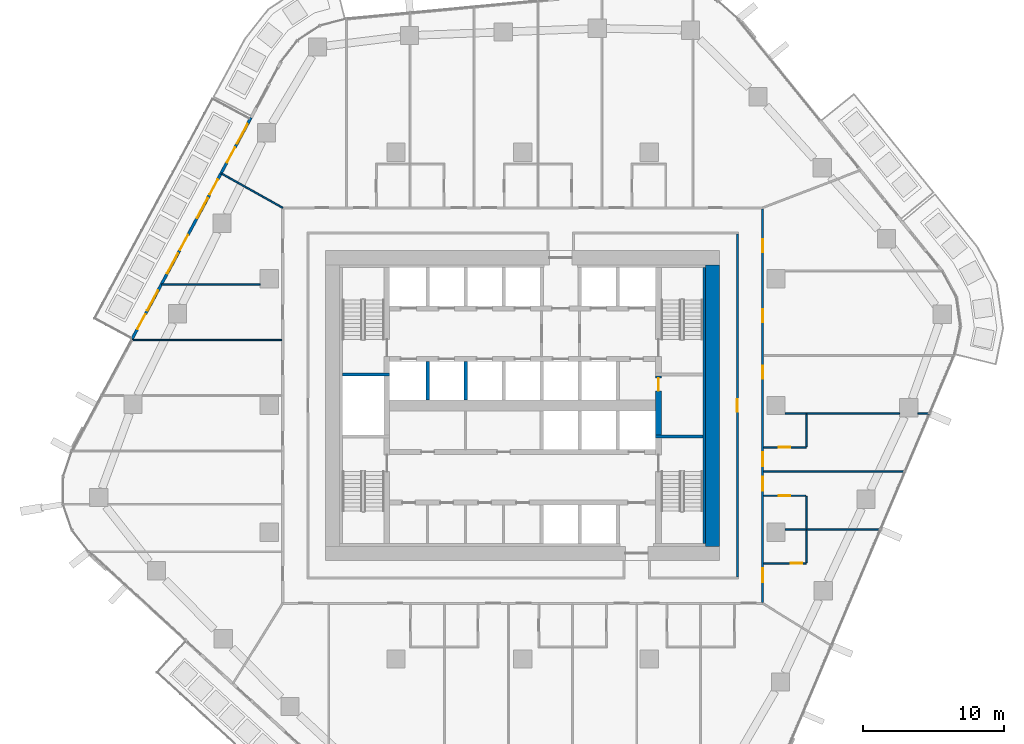
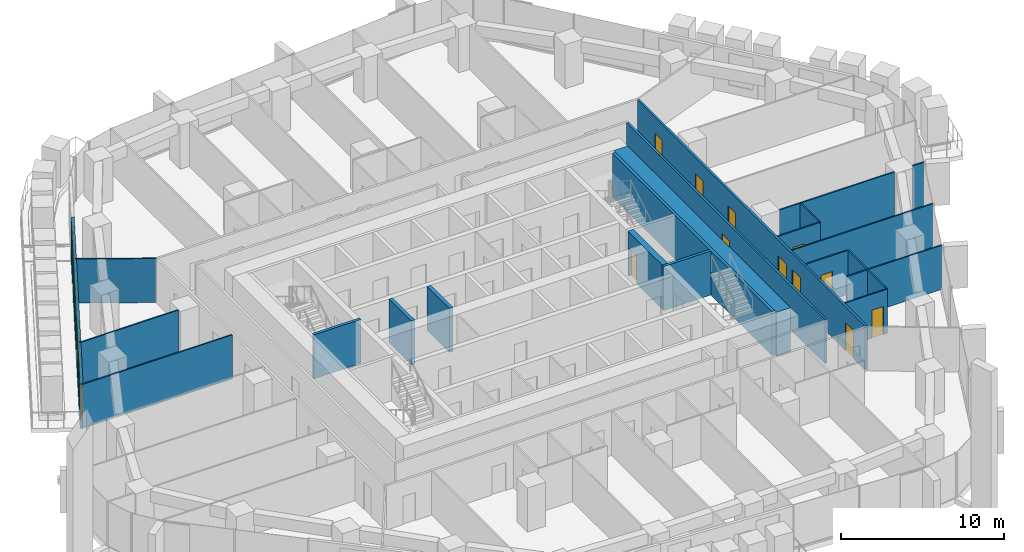
# One storey, part 14 of 24: 23 walls, 15 doors, 4 windows, 19 openings.
"""IFC4 building model written with IfcOpenShell, lengths in metres."""

from ifc_helpers import new_model, si_unit, direction, frame, frame_2d, origin, place, context, subcontext, project, spatial, rectangle, extrude, material, layer, layer_set, type_object, element, fill, save


model = new_model("IFC4")

# Units and contexts
model_context = context("Model", 3, precision=1e-05, world=origin(), true_north=direction((0.0, 1.0)))
body_context = subcontext(model_context, "Body", "Model", "MODEL_VIEW")
ifc_project = project(units=[si_unit("LENGTHUNIT", "METRE"), si_unit("AREAUNIT", "SQUARE_METRE"), si_unit("VOLUMEUNIT", "CUBIC_METRE"), si_unit("PLANEANGLEUNIT", "RADIAN"), si_unit("MASSUNIT", "GRAM", prefix="KILO")], contexts=[model_context])

# Site, building, storey
site_placement = place(None, origin())
site = spatial("IfcSite", under=ifc_project, at=site_placement, CompositionType="ELEMENT")
building_placement = place(site_placement, origin())
building = spatial("IfcBuilding", under=site, at=building_placement, Name="Dongbaek Canopy Tower", CompositionType="ELEMENT")
storey_placement = place(building_placement, frame((0.0, 0.0, 117.39990234375)))
storey = spatial("IfcBuildingStorey", under=building, at=storey_placement, Name="L25", CompositionType="ELEMENT", Elevation=117.39990234375)

# Walls
ifc_material_1 = material(Name="Concrete C60/75", Category="concrete")
ifc_layer_1 = layer(ifc_material_1, 1.0)
ifc_layer_set_1 = layer_set([ifc_layer_1], Name="Core outer wall 1000 Concrete C60/75")
wall_type_1 = type_object("IfcWallType", Name="Core outer wall 1000 Concrete C60/75", PredefinedType="SHEAR", material=ifc_layer_set_1)
wall_1_placement = place(storey_placement, frame((13.5, 10.0, 0.0), z_axis=(0.0, 0.0, 1.0), x_axis=(0.0, -1.0, 0.0)))
element("IfcWall", 1, at=wall_1_placement, inside=storey, type_object=wall_type_1, Name="Core wall", PredefinedType="SHEAR", context=body_context, shape_type="SweptSolid", body=[
    extrude(rectangle(XDim=20.0, YDim=1.0, at=frame_2d((10.0, 0.0))), origin(), (0.0, 0.0, 1.0), 3.300048828125),
])
ifc_material_2 = material(Name="Concrete C60/75", Category="concrete")
ifc_layer_2 = layer(ifc_material_2, 0.199951171875)
ifc_layer_set_2 = layer_set([ifc_layer_2], Name="Core wall lining 200 Concrete C60/75")
wall_type_2 = type_object("IfcWallType", Name="Core wall lining 200 Concrete C60/75", PredefinedType="SHEAR", material=ifc_layer_set_2)
wall_2_placement = place(storey_placement, frame((12.89990234375, 9.800048828125, 0.0), z_axis=(0.0, 0.0, 1.0), x_axis=(0.0, -1.0, 0.0)))
element("IfcWall", 2, at=wall_2_placement, inside=storey, type_object=wall_type_2, Name="Core wall lining", PredefinedType="SHEAR", context=body_context, shape_type="SweptSolid", body=[
    extrude(rectangle(XDim=19.60009765625, YDim=0.199951171875, at=frame_2d((9.800048828125, 0.0))), origin(), (0.0, 0.0, 1.0), 3.300048828125),
])

# Wall, openings, doors
ifc_material_3 = material(Name="Gypsum board partition, steel stud, 2 x 15 mm fire board", Category="steel")
ifc_layer_3 = layer(ifc_material_3, 0.14990234375)
ifc_layer_set_3 = layer_set([ifc_layer_3], Name="Fire-rated partition 150 gypsum board")
wall_type_3 = type_object("IfcWallType", Name="Fire-rated partition 150 gypsum board", PredefinedType="PARTITIONING", material=ifc_layer_set_3)
wall_3_placement = place(storey_placement, frame((17.050048828125, 13.97509765625, 0.0), z_axis=(0.0, 0.0, 1.0), x_axis=(0.0, -1.0, 0.0)))
wall_3 = element("IfcWall", 3, at=wall_3_placement, inside=storey, type_object=wall_type_3, Name="Corridor partition", PredefinedType="PARTITIONING", context=body_context, shape_type="SweptSolid", body=[
    extrude(rectangle(XDim=27.9501953125, YDim=0.14990234375, at=frame_2d((13.97509765625, 0.0))), origin(), (0.0, 0.0, 1.0), 3.300048828125),
])
opening_1_placement = place(wall_3_placement, frame((25.54541015625, 0.0, 0.0)))
opening_1 = element("IfcOpeningElement", 4, at=opening_1_placement, cuts=wall_3, Name="Opening L25-D018", PredefinedType="OPENING", context=body_context, shape_type="SweptSolid", body=[
    extrude(rectangle(XDim=1.0, YDim=2.10009765625, at=frame_2d((0.5, 1.050048828125))), frame((0.0, 0.0849609375, 0.0), z_axis=(0.0, -1.0, 0.0), x_axis=(1.0, 0.0, 0.0)), (0.0, 0.0, 1.0), 0.169921875),
])
opening_2_placement = place(wall_3_placement, frame((19.0244140625, 0.0, 0.0)))
opening_2 = element("IfcOpeningElement", 5, at=opening_2_placement, cuts=wall_3, Name="Opening L25-D020", PredefinedType="OPENING", context=body_context, shape_type="SweptSolid", body=[
    extrude(rectangle(XDim=1.0, YDim=2.10009765625, at=frame_2d((0.5, 1.050048828125))), frame((0.0, 0.0849609375, 0.0), z_axis=(0.0, -1.0, 0.0), x_axis=(1.0, 0.0, 0.0)), (0.0, 0.0, 1.0), 0.169921875),
])
opening_3_placement = place(wall_3_placement, frame((17.303466796875, 0.0, 0.0)))
opening_3 = element("IfcOpeningElement", 6, at=opening_3_placement, cuts=wall_3, Name="Opening L25-D022", PredefinedType="OPENING", context=body_context, shape_type="SweptSolid", body=[
    extrude(rectangle(XDim=1.0, YDim=2.10009765625, at=frame_2d((0.5, 1.050048828125))), frame((0.0, 0.0849609375, 0.0), z_axis=(0.0, -1.0, 0.0), x_axis=(1.0, 0.0, 0.0)), (0.0, 0.0, 1.0), 0.169921875),
])
opening_4_placement = place(wall_3_placement, frame((11.15478515625, 0.0, 0.0)))
opening_4 = element("IfcOpeningElement", 7, at=opening_4_placement, cuts=wall_3, Name="Opening L25-D023", PredefinedType="OPENING", context=body_context, shape_type="SweptSolid", body=[
    extrude(rectangle(XDim=0.89990234375, YDim=2.10009765625, at=frame_2d((0.449951171875, 1.050048828125))), frame((0.0, 0.0849609375, 0.0), z_axis=(0.0, -1.0, 0.0), x_axis=(1.0, 0.0, 0.0)), (0.0, 0.0, 1.0), 0.169921875),
])
opening_5_placement = place(wall_3_placement, frame((7.14453125, 0.0, 0.0)))
opening_5 = element("IfcOpeningElement", 8, at=opening_5_placement, cuts=wall_3, Name="Opening L25-D024", PredefinedType="OPENING", context=body_context, shape_type="SweptSolid", body=[
    extrude(rectangle(XDim=0.89990234375, YDim=2.10009765625, at=frame_2d((0.449951171875, 1.050048828125))), frame((0.0, 0.0849609375, 0.0), z_axis=(0.0, -1.0, 0.0), x_axis=(1.0, 0.0, 0.0)), (0.0, 0.0, 1.0), 0.169921875),
])
opening_6_placement = place(wall_3_placement, frame((2.16796875, 0.0, 0.0)))
opening_6 = element("IfcOpeningElement", 9, at=opening_6_placement, cuts=wall_3, Name="Opening L25-D025", PredefinedType="OPENING", context=body_context, shape_type="SweptSolid", body=[
    extrude(rectangle(XDim=0.89990234375, YDim=2.10009765625, at=frame_2d((0.449951171875, 1.050048828125))), frame((0.0, 0.0849609375, 0.0), z_axis=(0.0, -1.0, 0.0), x_axis=(1.0, 0.0, 0.0)), (0.0, 0.0, 1.0), 0.169921875),
])
ifc_material_4 = material(Name="Timber veneered door leaf", Category="wood")
door_type_1 = type_object("IfcDoorType", Name="Guest room door 1000 x 2100", OperationType="SINGLE_SWING_LEFT", PredefinedType="DOOR", material=ifc_material_4)
door_1_placement = place(opening_1_placement, origin())
door_1 = element("IfcDoor", 10, at=door_1_placement, inside=storey, type_object=door_type_1, Name="Door L25-D018", OperationType="SINGLE_SWING_LEFT", OverallHeight=2.10009765625, OverallWidth=1.0, PredefinedType="DOOR", context=body_context, shape_type="SweptSolid", body=[
    extrude(rectangle(XDim=1.0, YDim=2.10009765625, at=frame_2d((0.5, 1.050048828125))), frame((0.0, 0.02490234375, 0.0), z_axis=(0.0, -1.0, 0.0), x_axis=(1.0, 0.0, 0.0)), (0.0, 0.0, 1.0), 0.050048828125),
])
fill(opening_1, door_1)
door_2_placement = place(opening_2_placement, origin())
door_2 = element("IfcDoor", 11, at=door_2_placement, inside=storey, type_object=door_type_1, Name="Door L25-D020", OperationType="SINGLE_SWING_RIGHT", OverallHeight=2.10009765625, OverallWidth=1.0, PredefinedType="DOOR", context=body_context, shape_type="SweptSolid", body=[
    extrude(rectangle(XDim=1.0, YDim=2.10009765625, at=frame_2d((0.5, 1.050048828125))), frame((0.0, 0.02490234375, 0.0), z_axis=(0.0, -1.0, 0.0), x_axis=(1.0, 0.0, 0.0)), (0.0, 0.0, 1.0), 0.050048828125),
])
fill(opening_2, door_2)
door_3_placement = place(opening_3_placement, origin())
door_3 = element("IfcDoor", 12, at=door_3_placement, inside=storey, type_object=door_type_1, Name="Door L25-D022", OperationType="SINGLE_SWING_LEFT", OverallHeight=2.10009765625, OverallWidth=1.0, PredefinedType="DOOR", context=body_context, shape_type="SweptSolid", body=[
    extrude(rectangle(XDim=1.0, YDim=2.10009765625, at=frame_2d((0.5, 1.050048828125))), frame((0.0, 0.02490234375, 0.0), z_axis=(0.0, -1.0, 0.0), x_axis=(1.0, 0.0, 0.0)), (0.0, 0.0, 1.0), 0.050048828125),
])
fill(opening_3, door_3)
ifc_material_5 = material(Name="Timber veneered door leaf", Category="wood")
door_type_2 = type_object("IfcDoorType", Name="Room door 900 x 2100", OperationType="SINGLE_SWING_LEFT", PredefinedType="DOOR", material=ifc_material_5)
door_4_placement = place(opening_4_placement, origin())
door_4 = element("IfcDoor", 13, at=door_4_placement, inside=storey, type_object=door_type_2, Name="Door L25-D023", OperationType="SINGLE_SWING_RIGHT", OverallHeight=2.10009765625, OverallWidth=0.89990234375, PredefinedType="DOOR", context=body_context, shape_type="SweptSolid", body=[
    extrude(rectangle(XDim=0.89990234375, YDim=2.10009765625, at=frame_2d((0.449951171875, 1.050048828125))), frame((0.0, 0.02490234375, 0.0), z_axis=(0.0, -1.0, 0.0), x_axis=(1.0, 0.0, 0.0)), (0.0, 0.0, 1.0), 0.050048828125),
])
fill(opening_4, door_4)
door_5_placement = place(opening_5_placement, origin())
door_5 = element("IfcDoor", 14, at=door_5_placement, inside=storey, type_object=door_type_2, Name="Door L25-D024", OperationType="SINGLE_SWING_LEFT", OverallHeight=2.10009765625, OverallWidth=0.89990234375, PredefinedType="DOOR", context=body_context, shape_type="SweptSolid", body=[
    extrude(rectangle(XDim=0.89990234375, YDim=2.10009765625, at=frame_2d((0.449951171875, 1.050048828125))), frame((0.0, 0.02490234375, 0.0), z_axis=(0.0, -1.0, 0.0), x_axis=(1.0, 0.0, 0.0)), (0.0, 0.0, 1.0), 0.050048828125),
])
fill(opening_5, door_5)
door_6_placement = place(opening_6_placement, origin())
door_6 = element("IfcDoor", 15, at=door_6_placement, inside=storey, type_object=door_type_2, Name="Door L25-D025", OperationType="SINGLE_SWING_RIGHT", OverallHeight=2.10009765625, OverallWidth=0.89990234375, PredefinedType="DOOR", context=body_context, shape_type="SweptSolid", body=[
    extrude(rectangle(XDim=0.89990234375, YDim=2.10009765625, at=frame_2d((0.449951171875, 1.050048828125))), frame((0.0, 0.02490234375, 0.0), z_axis=(0.0, -1.0, 0.0), x_axis=(1.0, 0.0, 0.0)), (0.0, 0.0, 1.0), 0.050048828125),
])
fill(opening_6, door_6)

# Wall, opening, door
wall_4_placement = place(storey_placement, frame((15.25, -12.175048828125, 0.0), z_axis=(0.0, 0.0, 1.0), x_axis=(0.0, 1.0, 0.0)))
wall_4 = element("IfcWall", 16, at=wall_4_placement, inside=storey, type_object=wall_type_3, Name="Corridor partition", PredefinedType="PARTITIONING", context=body_context, shape_type="SweptSolid", body=[
    extrude(rectangle(XDim=24.35009765625, YDim=0.14990234375, at=frame_2d((12.175048828125, 0.0))), origin(), (0.0, 0.0, 1.0), 3.300048828125),
])
opening_7_placement = place(wall_4_placement, frame((11.72509765625, 0.0, 0.0)))
opening_7 = element("IfcOpeningElement", 17, at=opening_7_placement, cuts=wall_4, Name="Opening L25-D042", PredefinedType="OPENING", context=body_context, shape_type="SweptSolid", body=[
    extrude(rectangle(XDim=0.89990234375, YDim=2.10009765625, at=frame_2d((0.449951171875, 1.050048828125))), frame((0.0, 0.0849609375, 0.0), z_axis=(0.0, -1.0, 0.0), x_axis=(1.0, 0.0, 0.0)), (0.0, 0.0, 1.0), 0.169921875),
])
door_7_placement = place(opening_7_placement, origin())
door_7 = element("IfcDoor", 18, at=door_7_placement, inside=storey, type_object=door_type_2, Name="Door L25-D042", OperationType="SINGLE_SWING_RIGHT", OverallHeight=2.10009765625, OverallWidth=0.89990234375, PredefinedType="DOOR", context=body_context, shape_type="SweptSolid", body=[
    extrude(rectangle(XDim=0.89990234375, YDim=2.10009765625, at=frame_2d((0.449951171875, 1.050048828125))), frame((0.0, 0.02490234375, 0.0), z_axis=(0.0, -1.0, 0.0), x_axis=(1.0, 0.0, 0.0)), (0.0, 0.0, 1.0), 0.050048828125),
])
fill(opening_7, door_7)

# Walls
ifc_material_6 = material(Name="Concrete C40/50", Category="concrete")
ifc_layer_4 = layer(ifc_material_6, 0.25)
ifc_layer_set_4 = layer_set([ifc_layer_4], Name="Lift shaft wall 250 Concrete C40/50")
wall_type_4 = type_object("IfcWallType", Name="Lift shaft wall 250 Concrete C40/50", PredefinedType="SOLIDWALL", material=ifc_layer_set_4)
for number, where, z_axis, x_axis, name in (
    (19, (-4.050048828125, 0.39990234375, 0.0), (0.0, 0.0, 1.0), (0.0, 1.0, 0.0), "Lift shaft wall"),
    (20, (-6.75, 0.39990234375, 0.0), (0.0, 0.0, 1.0), (0.0, 1.0, 0.0), "Lift shaft wall"),
):
    element("IfcWall", number, at=place(storey_placement, frame(where, z_axis=z_axis, x_axis=x_axis)), inside=storey, type_object=wall_type_4, Name=name, PredefinedType="SOLIDWALL", context=body_context, shape_type="SweptSolid", body=[
        extrude(rectangle(XDim=2.72509765625, YDim=0.25, at=frame_2d((1.362548828125, 0.0))), origin(), (0.0, 0.0, 1.0), 3.300048828125),
    ])

# Wall, opening, door
ifc_material_7 = material(Name="Gypsum board partition, steel stud, 2 x 12.5 mm board", Category="steel")
ifc_layer_5 = layer(ifc_material_7, 0.10009765625)
ifc_layer_set_5 = layer_set([ifc_layer_5], Name="Partition 100 gypsum board")
wall_type_5 = type_object("IfcWallType", Name="Partition 100 gypsum board", PredefinedType="PARTITIONING", material=ifc_layer_set_5)
wall_5_placement = place(storey_placement, frame((17.125, -11.2099609375, 0.0), z_axis=(0.0, 0.0, 1.0), x_axis=(1.0, 0.0, 0.0)))
wall_5 = element("IfcWall", 21, at=wall_5_placement, inside=storey, type_object=wall_type_5, Name="Partition", PredefinedType="PARTITIONING", context=body_context, shape_type="SweptSolid", body=[
    extrude(rectangle(XDim=3.02490234375, YDim=0.10009765625, at=frame_2d((1.512451171875, 0.0))), origin(), (0.0, 0.0, 1.0), 3.300048828125),
])
opening_8_placement = place(wall_5_placement, frame((1.929931640625, 0.0, 0.0)))
opening_8 = element("IfcOpeningElement", 22, at=opening_8_placement, cuts=wall_5, Name="Opening L25-D017", PredefinedType="OPENING", context=body_context, shape_type="SweptSolid", body=[
    extrude(rectangle(XDim=0.800048828125, YDim=2.10009765625, at=frame_2d((0.39990234375, 1.050048828125))), frame((0.0, 0.06005859375, 0.0), z_axis=(0.0, -1.0, 0.0), x_axis=(1.0, 0.0, 0.0)), (0.0, 0.0, 1.0), 0.1201171875),
])
ifc_material_8 = material(Name="Timber veneered door leaf", Category="wood")
door_type_3 = type_object("IfcDoorType", Name="En-suite door 800 x 2100", OperationType="SINGLE_SWING_LEFT", PredefinedType="DOOR", material=ifc_material_8)
door_8_placement = place(opening_8_placement, origin())
door_8 = element("IfcDoor", 23, at=door_8_placement, inside=storey, type_object=door_type_3, Name="Door L25-D017", OperationType="SINGLE_SWING_RIGHT", OverallHeight=2.10009765625, OverallWidth=0.800048828125, PredefinedType="DOOR", context=body_context, shape_type="SweptSolid", body=[
    extrude(rectangle(XDim=0.800048828125, YDim=2.10009765625, at=frame_2d((0.39990234375, 1.050048828125))), frame((0.0, 0.02490234375, 0.0), z_axis=(0.0, -1.0, 0.0), x_axis=(1.0, 0.0, 0.0)), (0.0, 0.0, 1.0), 0.050048828125),
])
fill(opening_8, door_8)

# Wall
wall_6_placement = place(storey_placement, frame((18.64990234375, -8.81005859375, 0.0), z_axis=(0.0, 0.0, 1.0), x_axis=(1.0, 0.0, 0.0)))
element("IfcWall", 24, at=wall_6_placement, inside=storey, type_object=wall_type_5, Name="Partition", PredefinedType="PARTITIONING", context=body_context, shape_type="SweptSolid", body=[
    extrude(rectangle(XDim=6.734619140625, YDim=0.10009765625, at=frame_2d((3.3671875, 0.0))), origin(), (0.0, 0.0, 1.0), 3.300048828125),
])

# Wall, opening, door
wall_7_placement = place(storey_placement, frame((20.10009765625, -6.409912109375, 0.0), z_axis=(0.0, 0.0, 1.0), x_axis=(-1.0, 0.0, 0.0)))
wall_7 = element("IfcWall", 25, at=wall_7_placement, inside=storey, type_object=wall_type_5, Name="Partition", PredefinedType="PARTITIONING", context=body_context, shape_type="SweptSolid", body=[
    extrude(rectangle(XDim=2.97509765625, YDim=0.10009765625, at=frame_2d((1.487548828125, 0.0))), origin(), (0.0, 0.0, 1.0), 3.300048828125),
])
opening_9_placement = place(wall_7_placement, frame((1.10009765625, 0.0, 0.0)))
opening_9 = element("IfcOpeningElement", 26, at=opening_9_placement, cuts=wall_7, Name="Opening L25-D019", PredefinedType="OPENING", context=body_context, shape_type="SweptSolid", body=[
    extrude(rectangle(XDim=0.800048828125, YDim=2.10009765625, at=frame_2d((0.39990234375, 1.050048828125))), frame((0.0, 0.06005859375, 0.0), z_axis=(0.0, -1.0, 0.0), x_axis=(1.0, 0.0, 0.0)), (0.0, 0.0, 1.0), 0.1201171875),
])
door_9_placement = place(opening_9_placement, origin())
door_9 = element("IfcDoor", 27, at=door_9_placement, inside=storey, type_object=door_type_3, Name="Door L25-D019", OperationType="SINGLE_SWING_LEFT", OverallHeight=2.10009765625, OverallWidth=0.800048828125, PredefinedType="DOOR", context=body_context, shape_type="SweptSolid", body=[
    extrude(rectangle(XDim=0.800048828125, YDim=2.10009765625, at=frame_2d((0.39990234375, 1.050048828125))), frame((0.0, 0.02490234375, 0.0), z_axis=(0.0, -1.0, 0.0), x_axis=(1.0, 0.0, 0.0)), (0.0, 0.0, 1.0), 0.050048828125),
])
fill(opening_9, door_9)

# Wall
wall_8_placement = place(storey_placement, frame((17.125, -4.68896484375, 0.0), z_axis=(0.0, 0.0, 1.0), x_axis=(1.0, 0.0, 0.0)))
element("IfcWall", 28, at=wall_8_placement, inside=storey, type_object=wall_type_5, Name="Partition", PredefinedType="PARTITIONING", context=body_context, shape_type="SweptSolid", body=[
    extrude(rectangle(XDim=10.003173828125, YDim=0.10009765625, at=frame_2d((5.00146484375, 0.0))), origin(), (0.0, 0.0, 1.0), 3.300048828125),
])

# Wall, opening, door
wall_9_placement = place(storey_placement, frame((17.125, -2.968017578125, 0.0), z_axis=(0.0, 0.0, 1.0), x_axis=(1.0, 0.0, 0.0)))
wall_9 = element("IfcWall", 29, at=wall_9_placement, inside=storey, type_object=wall_type_5, Name="Partition", PredefinedType="PARTITIONING", context=body_context, shape_type="SweptSolid", body=[
    extrude(rectangle(XDim=3.02490234375, YDim=0.10009765625, at=frame_2d((1.512451171875, 0.0))), origin(), (0.0, 0.0, 1.0), 3.300048828125),
])
opening_10_placement = place(wall_9_placement, frame((1.074951171875, 0.0, 0.0)))
opening_10 = element("IfcOpeningElement", 30, at=opening_10_placement, cuts=wall_9, Name="Opening L25-D021", PredefinedType="OPENING", context=body_context, shape_type="SweptSolid", body=[
    extrude(rectangle(XDim=0.800048828125, YDim=2.10009765625, at=frame_2d((0.39990234375, 1.050048828125))), frame((0.0, 0.06005859375, 0.0), z_axis=(0.0, -1.0, 0.0), x_axis=(1.0, 0.0, 0.0)), (0.0, 0.0, 1.0), 0.1201171875),
])
door_10_placement = place(opening_10_placement, origin())
door_10 = element("IfcDoor", 31, at=door_10_placement, inside=storey, type_object=door_type_3, Name="Door L25-D021", OperationType="SINGLE_SWING_RIGHT", OverallHeight=2.10009765625, OverallWidth=0.800048828125, PredefinedType="DOOR", context=body_context, shape_type="SweptSolid", body=[
    extrude(rectangle(XDim=0.800048828125, YDim=2.10009765625, at=frame_2d((0.39990234375, 1.050048828125))), frame((0.0, 0.02490234375, 0.0), z_axis=(0.0, -1.0, 0.0), x_axis=(1.0, 0.0, 0.0)), (0.0, 0.0, 1.0), 0.050048828125),
])
fill(opening_10, door_10)

# Walls
wall_10_placement = place(storey_placement, frame((18.64990234375, -0.568115234375, 0.0), z_axis=(0.0, 0.0, 1.0), x_axis=(1.0, 0.0, 0.0)))
element("IfcWall", 32, at=wall_10_placement, inside=storey, type_object=wall_type_5, Name="Partition", PredefinedType="PARTITIONING", context=body_context, shape_type="SweptSolid", body=[
    extrude(rectangle(XDim=8.135986328125, YDim=0.10009765625, at=frame_2d((4.06787109375, 0.0))), origin(), (0.0, 0.0, 1.0), 3.300048828125),
])
wall_11_placement = place(storey_placement, frame((28.0859375, -0.568115234375, 0.0), z_axis=(0.0, 0.0, 1.0), x_axis=(1.0, 0.0, 0.0)))
element("IfcWall", 33, at=wall_11_placement, inside=storey, type_object=wall_type_5, Name="Partition", PredefinedType="PARTITIONING", context=body_context, shape_type="SweptSolid", body=[
    extrude(rectangle(XDim=0.785888671875, YDim=0.10009765625, at=frame_2d((0.39306640625, 0.0))), origin(), (0.0, 0.0, 1.0), 3.300048828125),
])
wall_12_placement = place(storey_placement, frame((-27.77099609375, 4.659912109375, 0.0), z_axis=(0.0, 0.0, 1.0), x_axis=(1.0, 0.0, 0.0)))
element("IfcWall", 34, at=wall_12_placement, inside=storey, type_object=wall_type_5, Name="Partition", PredefinedType="PARTITIONING", context=body_context, shape_type="SweptSolid", body=[
    extrude(rectangle(XDim=10.64599609375, YDim=0.10009765625, at=frame_2d((5.322998046875, 0.0))), origin(), (0.0, 0.0, 1.0), 3.300048828125),
])
wall_13_placement = place(storey_placement, frame((-25.649169921875, 8.60791015625, 0.0), z_axis=(0.0, 0.0, 1.0), x_axis=(1.0, 0.0, 0.0)))
element("IfcWall", 35, at=wall_13_placement, inside=storey, type_object=wall_type_5, Name="Partition", PredefinedType="PARTITIONING", context=body_context, shape_type="SweptSolid", body=[
    extrude(rectangle(XDim=6.999267578125, YDim=0.10009765625, at=frame_2d((3.49951171875, 0.0))), origin(), (0.0, 0.0, 1.0), 3.300048828125),
])
wall_14_placement = place(storey_placement, frame((20.14990234375, -11.159912109375, 0.0), z_axis=(0.0, 0.0, 1.0), x_axis=(0.0, 1.0, 0.0)))
element("IfcWall", 36, at=wall_14_placement, inside=storey, type_object=wall_type_5, Name="Partition", PredefinedType="PARTITIONING", context=body_context, shape_type="SweptSolid", body=[
    extrude(rectangle(XDim=2.2998046875, YDim=0.10009765625, at=frame_2d((1.14990234375, 0.0))), origin(), (0.0, 0.0, 1.0), 3.300048828125),
])
wall_15_placement = place(storey_placement, frame((20.14990234375, -8.760009765625, 0.0), z_axis=(0.0, 0.0, 1.0), x_axis=(0.0, 1.0, 0.0)))
element("IfcWall", 37, at=wall_15_placement, inside=storey, type_object=wall_type_5, Name="Partition", PredefinedType="PARTITIONING", context=body_context, shape_type="SweptSolid", body=[
    extrude(rectangle(XDim=2.30029296875, YDim=0.10009765625, at=frame_2d((1.150146484375, 0.0))), origin(), (0.0, 0.0, 1.0), 3.300048828125),
])
wall_16_placement = place(storey_placement, frame((20.14990234375, -2.91796875, 0.0), z_axis=(0.0, 0.0, 1.0), x_axis=(0.0, 1.0, 0.0)))
element("IfcWall", 38, at=wall_16_placement, inside=storey, type_object=wall_type_5, Name="Partition", PredefinedType="PARTITIONING", context=body_context, shape_type="SweptSolid", body=[
    extrude(rectangle(XDim=2.300048828125, YDim=0.10009765625, at=frame_2d((1.14990234375, 0.0))), origin(), (0.0, 0.0, 1.0), 3.300048828125),
])
wall_17_placement = place(storey_placement, frame((-21.41064453125, 16.493896484375, 0.0), z_axis=(0.0, 0.0, 1.0), x_axis=(0.872342728858, -0.488894838803, 0.0)))
element("IfcWall", 39, at=wall_17_placement, inside=storey, type_object=wall_type_5, Name="Partition", PredefinedType="PARTITIONING", context=body_context, shape_type="SweptSolid", body=[
    extrude(rectangle(XDim=4.998779296875, YDim=0.10009765625, at=frame_2d((2.49951171875, 0.0))), origin(), (0.0, 0.0, 1.0), 3.300048828125),
])
ifc_material_9 = material(Name="Concrete C60/75", Category="concrete")
ifc_layer_6 = layer(ifc_material_9, 0.199951171875)
ifc_layer_set_6 = layer_set([ifc_layer_6], Name="Riser wall 200 Concrete C60/75")
wall_type_6 = type_object("IfcWallType", Name="Riser wall 200 Concrete C60/75", PredefinedType="SHEAR", material=ifc_layer_set_6)
for number, where, z_axis, x_axis, name in (
    (40, (-9.449951171875, 2.199951171875, 0.0), (0.0, 0.0, 1.0), (-1.0, 0.0, 0.0), "Riser wall"),
    (41, (9.449951171875, -2.199951171875, 0.0), (0.0, 0.0, 1.0), (1.0, 0.0, 0.0), "Riser wall"),
):
    element("IfcWall", number, at=place(storey_placement, frame(where, z_axis=z_axis, x_axis=x_axis)), inside=storey, type_object=wall_type_6, Name=name, PredefinedType="SHEAR", context=body_context, shape_type="SweptSolid", body=[
        extrude(rectangle(XDim=3.35009765625, YDim=0.199951171875, at=frame_2d((1.675048828125, 0.0))), origin(), (0.0, 0.0, 1.0), 3.300048828125),
    ])

# Wall, opening, door
ifc_material_10 = material(Name="Concrete C60/75", Category="concrete")
ifc_layer_7 = layer(ifc_material_10, 0.39990234375)
ifc_layer_set_7 = layer_set([ifc_layer_7], Name="Stair wall 400 Concrete C60/75")
wall_type_7 = type_object("IfcWallType", Name="Stair wall 400 Concrete C60/75", PredefinedType="SHEAR", material=ifc_layer_set_7)
wall_18_placement = place(storey_placement, frame((9.64990234375, 2.10009765625, 0.0), z_axis=(0.0, 0.0, 1.0), x_axis=(0.0, -1.0, 0.0)))
wall_18 = element("IfcWall", 42, at=wall_18_placement, inside=storey, type_object=wall_type_7, Name="Stair wall", PredefinedType="SHEAR", context=body_context, shape_type="SweptSolid", body=[
    extrude(rectangle(XDim=4.2001953125, YDim=0.39990234375, at=frame_2d((2.10009765625, 0.0))), origin(), (0.0, 0.0, 1.0), 3.300048828125),
])
opening_11_placement = place(wall_18_placement, frame((0.14990234375, 0.0, 0.0)))
opening_11 = element("IfcOpeningElement", 43, at=opening_11_placement, cuts=wall_18, Name="Opening L25-D043", PredefinedType="OPENING", context=body_context, shape_type="SweptSolid", body=[
    extrude(rectangle(XDim=0.89990234375, YDim=2.10009765625, at=frame_2d((0.449951171875, 1.050048828125))), frame((0.0, 0.2099609375, 0.0), z_axis=(0.0, -1.0, 0.0), x_axis=(1.0, 0.0, 0.0)), (0.0, 0.0, 1.0), 0.419921875),
])
ifc_material_11 = material(Name="Steel", Category="steel")
door_type_4 = type_object("IfcDoorType", Name="Core room door 900 x 2100", OperationType="SINGLE_SWING_LEFT", PredefinedType="DOOR", material=ifc_material_11)
door_11_placement = place(opening_11_placement, origin())
door_11 = element("IfcDoor", 44, at=door_11_placement, inside=storey, type_object=door_type_4, Name="Door L25-D043", OperationType="SINGLE_SWING_RIGHT", OverallHeight=2.10009765625, OverallWidth=0.89990234375, PredefinedType="DOOR", context=body_context, shape_type="SweptSolid", body=[
    extrude(rectangle(XDim=0.89990234375, YDim=2.10009765625, at=frame_2d((0.449951171875, 1.050048828125))), frame((0.0, 0.02490234375, 0.0), z_axis=(0.0, -1.0, 0.0), x_axis=(1.0, 0.0, 0.0)), (0.0, 0.0, 1.0), 0.050048828125),
])
fill(opening_11, door_11)

# Wall, openings, doors, windows
ifc_material_12 = material(Name="Aluminium window wall", Category="aluminium")
ifc_layer_8 = layer(ifc_material_12, 0.199951171875)
ifc_layer_set_8 = layer_set([ifc_layer_8], Name="Window wall 200")
wall_type_8 = type_object("IfcWallType", Name="Window wall 200", PredefinedType="SOLIDWALL", material=ifc_layer_set_8)
wall_19_placement = place(storey_placement, frame((-19.306396484375, 20.451416015625, 0.0), z_axis=(0.0, 0.0, 1.0), x_axis=(-0.473410228211, -0.880842072011, 0.0)))
wall_19 = element("IfcWall", 45, at=wall_19_placement, inside=storey, type_object=wall_type_8, Name="Window wall L25 2", PredefinedType="SOLIDWALL", context=body_context, shape_type="SweptSolid", body=[
    extrude(rectangle(XDim=17.927978515625, YDim=0.199951171875, at=frame_2d((8.9638671875, 0.0))), origin(), (0.0, 0.0, 1.0), 3.300048828125),
])
opening_12_placement = place(wall_19_placement, frame((0.5, 0.0, 0.60009765625)))
opening_12 = element("IfcOpeningElement", 46, at=opening_12_placement, cuts=wall_19, Name="Opening W1", PredefinedType="OPENING", context=body_context, shape_type="SweptSolid", body=[
    extrude(rectangle(XDim=1.60009765625, YDim=2.39990234375, at=frame_2d((0.800048828125, 1.199951171875))), frame((0.0, 0.10986328125, 0.0), z_axis=(0.0, -1.0, 0.0), x_axis=(1.0, 0.0, 0.0)), (0.0, 0.0, 1.0), 0.219970703125),
])
opening_13_placement = place(wall_19_placement, frame((2.39990234375, 0.0, 0.0)))
opening_13 = element("IfcOpeningElement", 47, at=opening_13_placement, cuts=wall_19, Name="Opening L25-B04", PredefinedType="OPENING", context=body_context, shape_type="SweptSolid", body=[
    extrude(rectangle(XDim=1.199951171875, YDim=2.39990234375, at=frame_2d((0.60009765625, 1.199951171875))), frame((0.0, 0.10986328125, 0.0), z_axis=(0.0, -1.0, 0.0), x_axis=(1.0, 0.0, 0.0)), (0.0, 0.0, 1.0), 0.219970703125),
])
opening_14_placement = place(wall_19_placement, frame((6.482177734375, 0.0, 0.60009765625)))
opening_14 = element("IfcOpeningElement", 48, at=opening_14_placement, cuts=wall_19, Name="Opening W1", PredefinedType="OPENING", context=body_context, shape_type="SweptSolid", body=[
    extrude(rectangle(XDim=1.60009765625, YDim=2.39990234375, at=frame_2d((0.800048828125, 1.199951171875))), frame((0.0, 0.10986328125, 0.0), z_axis=(0.0, -1.0, 0.0), x_axis=(1.0, 0.0, 0.0)), (0.0, 0.0, 1.0), 0.219970703125),
])
opening_15_placement = place(wall_19_placement, frame((4.982177734375, 0.0, 0.0)))
opening_15 = element("IfcOpeningElement", 49, at=opening_15_placement, cuts=wall_19, Name="Opening L25-B05", PredefinedType="OPENING", context=body_context, shape_type="SweptSolid", body=[
    extrude(rectangle(XDim=1.199951171875, YDim=2.39990234375, at=frame_2d((0.60009765625, 1.199951171875))), frame((0.0, 0.10986328125, 0.0), z_axis=(0.0, -1.0, 0.0), x_axis=(1.0, 0.0, 0.0)), (0.0, 0.0, 1.0), 0.219970703125),
])
opening_16_placement = place(wall_19_placement, frame((10.964111328125, 0.0, 0.60009765625)))
opening_16 = element("IfcOpeningElement", 50, at=opening_16_placement, cuts=wall_19, Name="Opening W1", PredefinedType="OPENING", context=body_context, shape_type="SweptSolid", body=[
    extrude(rectangle(XDim=1.60009765625, YDim=2.39990234375, at=frame_2d((0.800048828125, 1.199951171875))), frame((0.0, 0.10986328125, 0.0), z_axis=(0.0, -1.0, 0.0), x_axis=(1.0, 0.0, 0.0)), (0.0, 0.0, 1.0), 0.219970703125),
])
opening_17_placement = place(wall_19_placement, frame((9.464111328125, 0.0, 0.0)))
opening_17 = element("IfcOpeningElement", 51, at=opening_17_placement, cuts=wall_19, Name="Opening L25-B06", PredefinedType="OPENING", context=body_context, shape_type="SweptSolid", body=[
    extrude(rectangle(XDim=1.199951171875, YDim=2.39990234375, at=frame_2d((0.60009765625, 1.199951171875))), frame((0.0, 0.10986328125, 0.0), z_axis=(0.0, -1.0, 0.0), x_axis=(1.0, 0.0, 0.0)), (0.0, 0.0, 1.0), 0.219970703125),
])
opening_18_placement = place(wall_19_placement, frame((13.9462890625, 0.0, 0.60009765625)))
opening_18 = element("IfcOpeningElement", 52, at=opening_18_placement, cuts=wall_19, Name="Opening W1", PredefinedType="OPENING", context=body_context, shape_type="SweptSolid", body=[
    extrude(rectangle(XDim=1.60009765625, YDim=2.39990234375, at=frame_2d((0.800048828125, 1.199951171875))), frame((0.0, 0.10986328125, 0.0), z_axis=(0.0, -1.0, 0.0), x_axis=(1.0, 0.0, 0.0)), (0.0, 0.0, 1.0), 0.219970703125),
])
opening_19_placement = place(wall_19_placement, frame((15.84619140625, 0.0, 0.0)))
opening_19 = element("IfcOpeningElement", 53, at=opening_19_placement, cuts=wall_19, Name="Opening L25-B07", PredefinedType="OPENING", context=body_context, shape_type="SweptSolid", body=[
    extrude(rectangle(XDim=1.199951171875, YDim=2.39990234375, at=frame_2d((0.60009765625, 1.199951171875))), frame((0.0, 0.10986328125, 0.0), z_axis=(0.0, -1.0, 0.0), x_axis=(1.0, 0.0, 0.0)), (0.0, 0.0, 1.0), 0.219970703125),
])
ifc_material_13 = material(Name="Clear glazing in aluminium frame", Category="aluminium")
door_type_5 = type_object("IfcDoorType", Name="Balcony door BD1 1200 x 2400", OperationType="SLIDING_TO_LEFT", PredefinedType="DOOR", material=ifc_material_13)
door_12_placement = place(opening_13_placement, origin())
door_12 = element("IfcDoor", 54, at=door_12_placement, inside=storey, type_object=door_type_5, Name="Balcony door L25-B04", OperationType="SLIDING_TO_LEFT", OverallHeight=2.39990234375, OverallWidth=1.199951171875, PredefinedType="DOOR", context=body_context, shape_type="SweptSolid", body=[
    extrude(rectangle(XDim=1.199951171875, YDim=2.39990234375, at=frame_2d((0.60009765625, 1.199951171875))), frame((0.0, 0.02490234375, 0.0), z_axis=(0.0, -1.0, 0.0), x_axis=(1.0, 0.0, 0.0)), (0.0, 0.0, 1.0), 0.050048828125),
])
fill(opening_13, door_12)
door_13_placement = place(opening_15_placement, origin())
door_13 = element("IfcDoor", 55, at=door_13_placement, inside=storey, type_object=door_type_5, Name="Balcony door L25-B05", OperationType="SLIDING_TO_LEFT", OverallHeight=2.39990234375, OverallWidth=1.199951171875, PredefinedType="DOOR", context=body_context, shape_type="SweptSolid", body=[
    extrude(rectangle(XDim=1.199951171875, YDim=2.39990234375, at=frame_2d((0.60009765625, 1.199951171875))), frame((0.0, 0.02490234375, 0.0), z_axis=(0.0, -1.0, 0.0), x_axis=(1.0, 0.0, 0.0)), (0.0, 0.0, 1.0), 0.050048828125),
])
fill(opening_15, door_13)
door_14_placement = place(opening_17_placement, origin())
door_14 = element("IfcDoor", 56, at=door_14_placement, inside=storey, type_object=door_type_5, Name="Balcony door L25-B06", OperationType="SLIDING_TO_LEFT", OverallHeight=2.39990234375, OverallWidth=1.199951171875, PredefinedType="DOOR", context=body_context, shape_type="SweptSolid", body=[
    extrude(rectangle(XDim=1.199951171875, YDim=2.39990234375, at=frame_2d((0.60009765625, 1.199951171875))), frame((0.0, 0.02490234375, 0.0), z_axis=(0.0, -1.0, 0.0), x_axis=(1.0, 0.0, 0.0)), (0.0, 0.0, 1.0), 0.050048828125),
])
fill(opening_17, door_14)
door_15_placement = place(opening_19_placement, origin())
door_15 = element("IfcDoor", 57, at=door_15_placement, inside=storey, type_object=door_type_5, Name="Balcony door L25-B07", OperationType="SLIDING_TO_LEFT", OverallHeight=2.39990234375, OverallWidth=1.199951171875, PredefinedType="DOOR", context=body_context, shape_type="SweptSolid", body=[
    extrude(rectangle(XDim=1.199951171875, YDim=2.39990234375, at=frame_2d((0.60009765625, 1.199951171875))), frame((0.0, 0.02490234375, 0.0), z_axis=(0.0, -1.0, 0.0), x_axis=(1.0, 0.0, 0.0)), (0.0, 0.0, 1.0), 0.050048828125),
])
fill(opening_19, door_15)
ifc_material_14 = material(Name="Clear glazing in aluminium frame", Category="aluminium")
window_type = type_object("IfcWindowType", Name="Window W1 1600 x 2400", PartitioningType="SINGLE_PANEL", PredefinedType="WINDOW", material=ifc_material_14)
window_1_placement = place(opening_12_placement, origin())
window_1 = element("IfcWindow", 58, at=window_1_placement, inside=storey, type_object=window_type, Name="Window L25 2.1", OverallHeight=2.39990234375, OverallWidth=1.60009765625, PartitioningType="SINGLE_PANEL", PredefinedType="WINDOW", context=body_context, shape_type="SweptSolid", body=[
    extrude(rectangle(XDim=1.60009765625, YDim=2.39990234375, at=frame_2d((0.800048828125, 1.199951171875))), frame((0.0, 0.030029296875, 0.0), z_axis=(0.0, -1.0, 0.0), x_axis=(1.0, 0.0, 0.0)), (0.0, 0.0, 1.0), 0.06005859375),
])
fill(opening_12, window_1)
window_2_placement = place(opening_14_placement, origin())
window_2 = element("IfcWindow", 59, at=window_2_placement, inside=storey, type_object=window_type, Name="Window L25 2.2", OverallHeight=2.39990234375, OverallWidth=1.60009765625, PartitioningType="SINGLE_PANEL", PredefinedType="WINDOW", context=body_context, shape_type="SweptSolid", body=[
    extrude(rectangle(XDim=1.60009765625, YDim=2.39990234375, at=frame_2d((0.800048828125, 1.199951171875))), frame((0.0, 0.030029296875, 0.0), z_axis=(0.0, -1.0, 0.0), x_axis=(1.0, 0.0, 0.0)), (0.0, 0.0, 1.0), 0.06005859375),
])
fill(opening_14, window_2)
window_3_placement = place(opening_16_placement, origin())
window_3 = element("IfcWindow", 60, at=window_3_placement, inside=storey, type_object=window_type, Name="Window L25 2.3", OverallHeight=2.39990234375, OverallWidth=1.60009765625, PartitioningType="SINGLE_PANEL", PredefinedType="WINDOW", context=body_context, shape_type="SweptSolid", body=[
    extrude(rectangle(XDim=1.60009765625, YDim=2.39990234375, at=frame_2d((0.800048828125, 1.199951171875))), frame((0.0, 0.030029296875, 0.0), z_axis=(0.0, -1.0, 0.0), x_axis=(1.0, 0.0, 0.0)), (0.0, 0.0, 1.0), 0.06005859375),
])
fill(opening_16, window_3)
window_4_placement = place(opening_18_placement, origin())
window_4 = element("IfcWindow", 61, at=window_4_placement, inside=storey, type_object=window_type, Name="Window L25 2.4", OverallHeight=2.39990234375, OverallWidth=1.60009765625, PartitioningType="SINGLE_PANEL", PredefinedType="WINDOW", context=body_context, shape_type="SweptSolid", body=[
    extrude(rectangle(XDim=1.60009765625, YDim=2.39990234375, at=frame_2d((0.800048828125, 1.199951171875))), frame((0.0, 0.030029296875, 0.0), z_axis=(0.0, -1.0, 0.0), x_axis=(1.0, 0.0, 0.0)), (0.0, 0.0, 1.0), 0.06005859375),
])
fill(opening_18, window_4)

save(model, "model.ifc")
